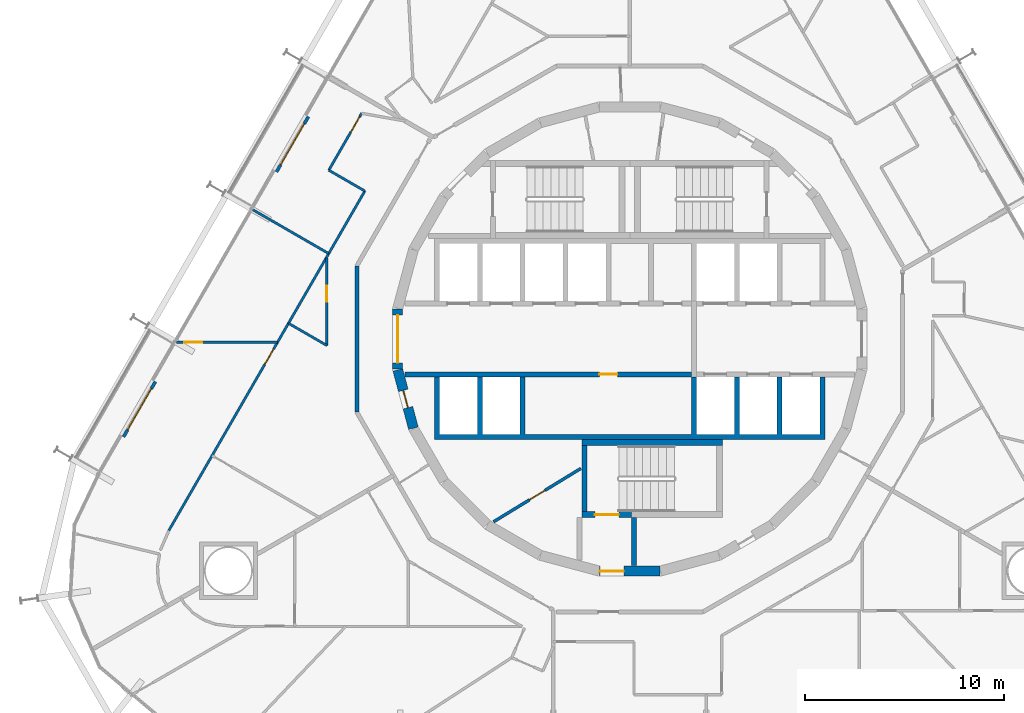
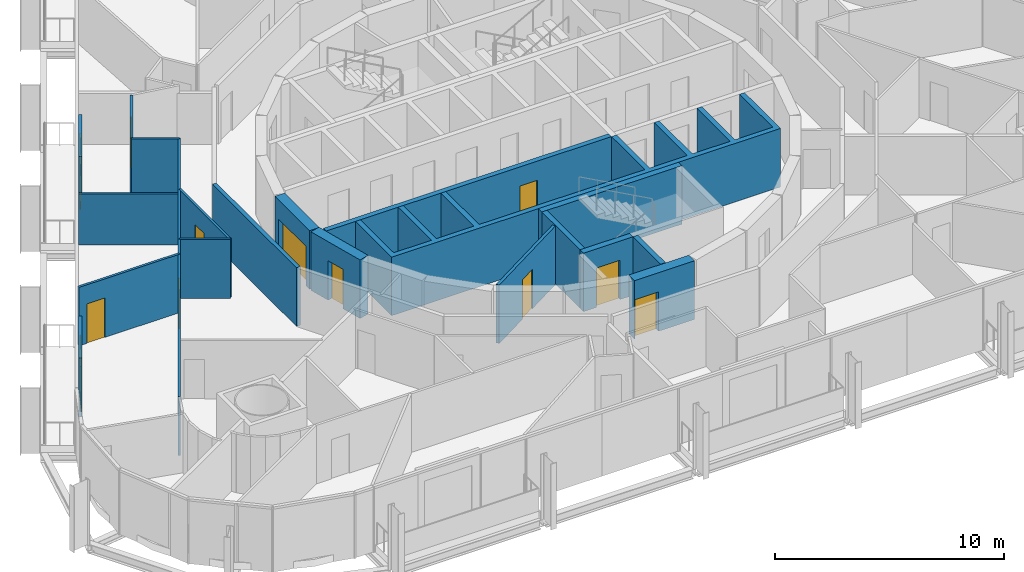
# One storey, part 14 of 21: 21 walls, 12 doors, 12 openings.
"""IFC4 building model written with IfcOpenShell, lengths in metres."""

from ifc_helpers import new_model, si_unit, direction, frame, frame_2d, origin, place, context, subcontext, project, spatial, polyline, rectangle, outline, extrude, material, layer, layer_set, type_object, element, fill, save


model = new_model("IFC4")

# Units and contexts
model_context = context("Model", 3, precision=1e-05, world=origin(), true_north=direction((0.0, 1.0)))
body_context = subcontext(model_context, "Body", "Model", "MODEL_VIEW")
ifc_project = project(units=[si_unit("LENGTHUNIT", "METRE"), si_unit("AREAUNIT", "SQUARE_METRE"), si_unit("VOLUMEUNIT", "CUBIC_METRE"), si_unit("PLANEANGLEUNIT", "RADIAN"), si_unit("MASSUNIT", "GRAM", prefix="KILO")], contexts=[model_context])

# Site, building, storey
site_placement = place(None, origin())
site = spatial("IfcSite", under=ifc_project, at=site_placement, CompositionType="ELEMENT")
building_placement = place(site_placement, origin())
building = spatial("IfcBuilding", under=site, at=building_placement, Name="Spindle Arch Residences", CompositionType="ELEMENT")
storey_placement = place(building_placement, frame((0.0, 0.0, 55.89990234375)))
storey = spatial("IfcBuildingStorey", under=building, at=storey_placement, Name="L12", CompositionType="ELEMENT", Elevation=55.89990234375)

# Wall, opening, door
ifc_material_1 = material(Name="Concrete C50/60", Category="concrete")
ifc_layer_1 = layer(ifc_material_1, 0.5)
ifc_layer_set_1 = layer_set([ifc_layer_1], Name="Core outline wall 500")
wall_type_1 = type_object("IfcWallType", Name="Core outline wall 500", PredefinedType="SHEAR", material=ifc_layer_set_1)
wall_1_placement = place(storey_placement, frame((-11.647216796875, 1.516357421875, 0.0), z_axis=(0.0, 0.0, 1.0), x_axis=(0.0, -1.0, 0.0)))
wall_1 = element("IfcWall", 1, at=wall_1_placement, inside=storey, type_object=wall_type_1, Name="Core outline wall 18", PredefinedType="SHEAR", context=body_context, shape_type="SweptSolid", body=[
    extrude(rectangle(XDim=3.03271484375, YDim=0.5, at=frame_2d((1.516357421875, 0.0))), origin(), (0.0, 0.0, 1.0), 3.1201171875),
])
opening_1_placement = place(wall_1_placement, frame((0.31640625, 0.0, 0.0)))
opening_1 = element("IfcOpeningElement", 2, at=opening_1_placement, cuts=wall_1, Name="Opening R1B1-LE01", PredefinedType="OPENING", context=body_context, shape_type="SweptSolid", body=[
    extrude(rectangle(XDim=2.39990234375, YDim=2.10009765625, at=frame_2d((1.199951171875, 1.050048828125))), frame((0.0, 0.260009765625, 0.0), z_axis=(0.0, -1.0, 0.0), x_axis=(1.0, 0.0, 0.0)), (0.0, 0.0, 1.0), 0.52001953125),
])
ifc_material_2 = material(Name="Steel, fire-resisting door", Category="steel")
door_type_1 = type_object("IfcDoorType", Name="Lift lobby entrance door 2400x2100", OperationType="DOUBLE_DOOR_SINGLE_SWING", PredefinedType="DOOR", material=ifc_material_2)
door_1_placement = place(opening_1_placement, origin())
door_1 = element("IfcDoor", 3, at=door_1_placement, inside=storey, type_object=door_type_1, Name="Lift lobby entrance door R1B1-LE01", OperationType="DOUBLE_DOOR_SINGLE_SWING", OverallHeight=2.10009765625, OverallWidth=2.39990234375, PredefinedType="DOOR", context=body_context, shape_type="SweptSolid", body=[
    extrude(rectangle(XDim=2.39990234375, YDim=2.10009765625, at=frame_2d((1.199951171875, 1.050048828125))), frame((0.0, 0.02490234375, 0.0), z_axis=(0.0, -1.0, 0.0), x_axis=(1.0, 0.0, 0.0)), (0.0, 0.0, 1.0), 0.050048828125),
])
fill(opening_1, door_1)

wall_2_placement = place(storey_placement, frame((-11.642822265625, -1.5498046875, 0.0), z_axis=(0.0, 0.0, 1.0), x_axis=(0.258734743916, -0.965948410781, 0.0)))
wall_2 = element("IfcWall", 4, at=wall_2_placement, inside=storey, type_object=wall_type_1, Name="Core outline wall 19", PredefinedType="SHEAR", context=body_context, shape_type="SweptSolid", body=[
    extrude(rectangle(XDim=3.03271484375, YDim=0.5, at=frame_2d((1.516357421875, 0.0))), origin(), (0.0, 0.0, 1.0), 3.1201171875),
])
opening_2_placement = place(wall_2_placement, frame((1.06640625, 0.0, 0.0)))
opening_2 = element("IfcOpeningElement", 5, at=opening_2_placement, cuts=wall_2, Name="Opening R1B1-WD09", PredefinedType="OPENING", context=body_context, shape_type="SweptSolid", body=[
    extrude(rectangle(XDim=0.89990234375, YDim=2.10009765625, at=frame_2d((0.449951171875, 1.050048828125))), frame((0.0, 0.260009765625, 0.0), z_axis=(0.0, -1.0, 0.0), x_axis=(1.0, 0.0, 0.0)), (0.0, 0.0, 1.0), 0.52001953125),
])
ifc_material_3 = material(Name="Steel, fire-resisting door", Category="steel")
door_type_2 = type_object("IfcDoorType", Name="Service room door 900x2100", OperationType="SINGLE_SWING_LEFT", PredefinedType="DOOR", material=ifc_material_3)
door_2_placement = place(opening_2_placement, origin())
door_2 = element("IfcDoor", 6, at=door_2_placement, inside=storey, type_object=door_type_2, Name="Service room door R1B1-WD09", OperationType="SINGLE_SWING_RIGHT", OverallHeight=2.10009765625, OverallWidth=0.89990234375, PredefinedType="DOOR", context=body_context, shape_type="SweptSolid", body=[
    extrude(rectangle(XDim=0.89990234375, YDim=2.10009765625, at=frame_2d((0.449951171875, 1.050048828125))), frame((0.0, 0.02490234375, 0.0), z_axis=(0.0, -1.0, 0.0), x_axis=(1.0, 0.0, 0.0)), (0.0, 0.0, 1.0), 0.050048828125),
])
fill(opening_2, door_2)

wall_3_placement = place(storey_placement, frame((-1.516357421875, -11.647216796875, 0.0), z_axis=(0.0, 0.0, 1.0), x_axis=(1.0, 0.0, 0.0)))
wall_3 = element("IfcWall", 7, at=wall_3_placement, inside=storey, type_object=wall_type_1, Name="Core outline wall 24", PredefinedType="SHEAR", context=body_context, shape_type="SweptSolid", body=[
    extrude(rectangle(XDim=3.03271484375, YDim=0.5, at=frame_2d((1.516357421875, 0.0))), origin(), (0.0, 0.0, 1.0), 3.1201171875),
])
opening_3_placement = place(wall_3_placement, frame((0.016357421875, 0.0, 0.0)))
opening_3 = element("IfcOpeningElement", 8, at=opening_3_placement, cuts=wall_3, Name="Opening R1B1-AD03", PredefinedType="OPENING", context=body_context, shape_type="SweptSolid", body=[
    extrude(rectangle(XDim=1.199951171875, YDim=2.10009765625, at=frame_2d((0.60009765625, 1.050048828125))), frame((0.0, 0.260009765625, 0.0), z_axis=(0.0, -1.0, 0.0), x_axis=(1.0, 0.0, 0.0)), (0.0, 0.0, 1.0), 0.52001953125),
])
ifc_material_4 = material(Name="Steel, fire-resisting door", Category="steel")
door_type_3 = type_object("IfcDoorType", Name="Stair airlock door 1200x2100", OperationType="SINGLE_SWING_LEFT", PredefinedType="DOOR", material=ifc_material_4)
door_3_placement = place(opening_3_placement, origin())
door_3 = element("IfcDoor", 9, at=door_3_placement, inside=storey, type_object=door_type_3, Name="Stair airlock door R1B1-AD03", OperationType="SINGLE_SWING_RIGHT", OverallHeight=2.10009765625, OverallWidth=1.199951171875, PredefinedType="DOOR", context=body_context, shape_type="SweptSolid", body=[
    extrude(rectangle(XDim=1.199951171875, YDim=2.10009765625, at=frame_2d((0.60009765625, 1.050048828125))), frame((0.0, 0.02490234375, 0.0), z_axis=(0.0, -1.0, 0.0), x_axis=(1.0, 0.0, 0.0)), (0.0, 0.0, 1.0), 0.050048828125),
])
fill(opening_3, door_3)

# Wall
ifc_material_5 = material(Name="Calcium silicate block, plastered")
ifc_layer_2 = layer(ifc_material_5, 0.199951171875)
ifc_layer_set_2 = layer_set([ifc_layer_2], Name="Corridor wall 200")
wall_type_2 = type_object("IfcWallType", Name="Corridor wall 200", PredefinedType="STANDARD", material=ifc_layer_set_2)
wall_4_placement = place(storey_placement, frame((-13.699951171875, 3.6708984375, 0.0), z_axis=(0.0, 0.0, 1.0), x_axis=(0.0, -1.0, 0.0)))
element("IfcWall", 10, at=wall_4_placement, inside=storey, type_object=wall_type_2, Name="Corridor wall R1B1-W011", PredefinedType="STANDARD", context=body_context, shape_type="SweptSolid", body=[
    extrude(rectangle(XDim=7.341796875, YDim=0.199951171875, at=frame_2d((3.6708984375, 0.0))), origin(), (0.0, 0.0, 1.0), 3.1201171875),
])

# Wall, opening, door
ifc_material_6 = material(Name="Plasterboard on steel studs", Category="steel")
ifc_layer_3 = layer(ifc_material_6, 0.1201171875)
ifc_layer_set_3 = layer_set([ifc_layer_3], Name="Flat partition 120")
wall_type_3 = type_object("IfcWallType", Name="Flat partition 120", PredefinedType="PARTITIONING", material=ifc_layer_set_3)
wall_5_placement = place(storey_placement, frame((-13.45654296875, 11.33154296875, 0.0), z_axis=(0.0, 0.0, 1.0), x_axis=(-0.499974350878, -0.866040211805, 0.0)))
wall_5 = element("IfcWall", 11, at=wall_5_placement, inside=storey, type_object=wall_type_3, Name="Flat partition R1B1-W063", PredefinedType="PARTITIONING", context=body_context, shape_type="SweptSolid", body=[
    extrude(rectangle(XDim=3.300048828125, YDim=0.1201171875, at=frame_2d((1.64990234375, 0.0))), origin(), (0.0, 0.0, 1.0), 3.1201171875),
])
opening_4_placement = place(wall_5_placement, frame((0.199951171875, 0.0, 0.0)))
opening_4 = element("IfcOpeningElement", 12, at=opening_4_placement, cuts=wall_5, Name="Opening R1B1-ID13", PredefinedType="OPENING", context=body_context, shape_type="SweptSolid", body=[
    extrude(rectangle(XDim=0.89990234375, YDim=2.10009765625, at=frame_2d((0.449951171875, 1.050048828125))), frame((0.0, 0.070068359375, 0.0), z_axis=(0.0, -1.0, 0.0), x_axis=(1.0, 0.0, 0.0)), (0.0, 0.0, 1.0), 0.14013671875),
])
ifc_material_7 = material(Name="Timber door set", Category="wood")
door_type_4 = type_object("IfcDoorType", Name="Room door 900x2100", OperationType="NOTDEFINED", PredefinedType="DOOR", material=ifc_material_7)
door_4_placement = place(opening_4_placement, origin())
door_4 = element("IfcDoor", 13, at=door_4_placement, inside=storey, type_object=door_type_4, Name="Room door R1B1-ID13", OperationType="SINGLE_SWING_LEFT", OverallHeight=2.10009765625, OverallWidth=0.89990234375, PredefinedType="DOOR", context=body_context, shape_type="SweptSolid", body=[
    extrude(rectangle(XDim=0.89990234375, YDim=2.10009765625, at=frame_2d((0.449951171875, 1.050048828125))), frame((0.0, 0.02490234375, 0.0), z_axis=(0.0, -1.0, 0.0), x_axis=(1.0, 0.0, 0.0)), (0.0, 0.0, 1.0), 0.050048828125),
])
fill(opening_4, door_4)

# Walls
wall_6_placement = place(storey_placement, frame((-15.1064453125, 8.4736328125, 0.0), z_axis=(0.0, 0.0, 1.0), x_axis=(0.866041603473, -0.499971940267, 0.0)))
element("IfcWall", 14, at=wall_6_placement, inside=storey, type_object=wall_type_3, Name="Flat partition R1B1-W064", PredefinedType="PARTITIONING", context=body_context, shape_type="SweptSolid", body=[
    extrude(rectangle(XDim=2.08935546875, YDim=0.1201171875, at=frame_2d((1.044677734375, 0.0))), origin(), (0.0, 0.0, 1.0), 3.1201171875),
])
wall_7_placement = place(storey_placement, frame((-13.296875, 7.428955078125, 0.0), z_axis=(0.0, 0.0, 1.0), x_axis=(-0.49999903102, -0.866025963225, 0.0)))
element("IfcWall", 15, at=wall_7_placement, inside=storey, type_object=wall_type_3, Name="Flat partition R1B1-W065", PredefinedType="PARTITIONING", context=body_context, shape_type="SweptSolid", body=[
    extrude(rectangle(XDim=7.66650390625, YDim=0.1201171875, at=frame_2d((3.833251953125, 0.0))), origin(), (0.0, 0.0, 1.0), 3.1201171875),
])

# Wall, opening, door
wall_8_placement = place(storey_placement, frame((-17.130126953125, 0.78955078125, 0.0), z_axis=(0.0, 0.0, 1.0), x_axis=(-0.499997052475, -0.866027105532, 0.0)))
wall_8 = element("IfcWall", 16, at=wall_8_placement, inside=storey, type_object=wall_type_3, Name="Flat partition R1B1-W066", PredefinedType="PARTITIONING", context=body_context, shape_type="SweptSolid", body=[
    extrude(rectangle(XDim=12.005859375, YDim=0.1201171875, at=frame_2d((6.0029296875, 0.0))), origin(), (0.0, 0.0, 1.0), 3.1201171875),
])
opening_5_placement = place(wall_8_placement, frame((1.498291015625, 0.0, 0.0)))
opening_5 = element("IfcOpeningElement", 17, at=opening_5_placement, cuts=wall_8, Name="Opening R1B1-ID14", PredefinedType="OPENING", context=body_context, shape_type="SweptSolid", body=[
    extrude(rectangle(XDim=0.89990234375, YDim=2.10009765625, at=frame_2d((0.449951171875, 1.050048828125))), frame((0.0, 0.070068359375, 0.0), z_axis=(0.0, -1.0, 0.0), x_axis=(1.0, 0.0, 0.0)), (0.0, 0.0, 1.0), 0.14013671875),
])
door_5_placement = place(opening_5_placement, origin())
door_5 = element("IfcDoor", 18, at=door_5_placement, inside=storey, type_object=door_type_4, Name="Room door R1B1-ID14", OperationType="SINGLE_SWING_RIGHT", OverallHeight=2.10009765625, OverallWidth=0.89990234375, PredefinedType="DOOR", context=body_context, shape_type="SweptSolid", body=[
    extrude(rectangle(XDim=0.89990234375, YDim=2.10009765625, at=frame_2d((0.449951171875, 1.050048828125))), frame((0.0, 0.02490234375, 0.0), z_axis=(0.0, -1.0, 0.0), x_axis=(1.0, 0.0, 0.0)), (0.0, 0.0, 1.0), 0.050048828125),
])
fill(opening_5, door_5)

wall_9_placement = place(storey_placement, frame((-15.199951171875, 4.07275390625, 0.0), z_axis=(0.0, 0.0, 1.0), x_axis=(0.0, -1.0, 0.0)))
wall_9 = element("IfcWall", 19, at=wall_9_placement, inside=storey, type_object=wall_type_3, Name="Flat partition R1B1-W067", PredefinedType="PARTITIONING", context=body_context, shape_type="SweptSolid", body=[
    extrude(rectangle(XDim=4.397705078125, YDim=0.1201171875, at=frame_2d((2.19873046875, 0.0))), origin(), (0.0, 0.0, 1.0), 3.1201171875),
])
opening_6_placement = place(wall_9_placement, frame((1.39990234375, 0.0, 0.0)))
opening_6 = element("IfcOpeningElement", 20, at=opening_6_placement, cuts=wall_9, Name="Opening R1B1-BD03", PredefinedType="OPENING", context=body_context, shape_type="SweptSolid", body=[
    extrude(rectangle(XDim=0.800048828125, YDim=2.10009765625, at=frame_2d((0.39990234375, 1.050048828125))), frame((0.0, 0.070068359375, 0.0), z_axis=(0.0, -1.0, 0.0), x_axis=(1.0, 0.0, 0.0)), (0.0, 0.0, 1.0), 0.14013671875),
])
ifc_material_8 = material(Name="Timber door set", Category="wood")
door_type_5 = type_object("IfcDoorType", Name="Bathroom door 800x2100", OperationType="NOTDEFINED", PredefinedType="DOOR", material=ifc_material_8)
door_6_placement = place(opening_6_placement, origin())
door_6 = element("IfcDoor", 21, at=door_6_placement, inside=storey, type_object=door_type_5, Name="Bathroom door R1B1-BD03", OperationType="SINGLE_SWING_RIGHT", OverallHeight=2.10009765625, OverallWidth=0.800048828125, PredefinedType="DOOR", context=body_context, shape_type="SweptSolid", body=[
    extrude(rectangle(XDim=0.800048828125, YDim=2.10009765625, at=frame_2d((0.39990234375, 1.050048828125))), frame((0.0, 0.02490234375, 0.0), z_axis=(0.0, -1.0, 0.0), x_axis=(1.0, 0.0, 0.0)), (0.0, 0.0, 1.0), 0.050048828125),
])
fill(opening_6, door_6)

# Wall
wall_10_placement = place(storey_placement, frame((-15.199951171875, -0.324951171875, 0.0), z_axis=(0.0, 0.0, 1.0), x_axis=(-0.866003168561, 0.500038510559, 0.0)))
element("IfcWall", 22, at=wall_10_placement, inside=storey, type_object=wall_type_3, Name="Flat partition R1B1-W068", PredefinedType="PARTITIONING", context=body_context, shape_type="SweptSolid", body=[
    extrude(rectangle(XDim=2.228759765625, YDim=0.1201171875, at=frame_2d((1.1142578125, 0.0))), origin(), (0.0, 0.0, 1.0), 3.1201171875),
])

# Wall, opening, door
wall_11_placement = place(storey_placement, frame((-22.760009765625, -0.161865234375, 0.0), z_axis=(0.0, 0.0, 1.0), x_axis=(1.0, 0.0, 0.0)))
wall_11 = element("IfcWall", 23, at=wall_11_placement, inside=storey, type_object=wall_type_3, Name="Flat partition R1B1-W071", PredefinedType="PARTITIONING", context=body_context, shape_type="SweptSolid", body=[
    extrude(rectangle(XDim=5.08056640625, YDim=0.1201171875, at=frame_2d((2.540283203125, 0.0))), origin(), (0.0, 0.0, 1.0), 3.1201171875),
])
opening_7_placement = place(wall_11_placement, frame((0.39990234375, 0.0, 0.0)))
opening_7 = element("IfcOpeningElement", 24, at=opening_7_placement, cuts=wall_11, Name="Opening R1B1-ID16", PredefinedType="OPENING", context=body_context, shape_type="SweptSolid", body=[
    extrude(rectangle(XDim=0.89990234375, YDim=2.10009765625, at=frame_2d((0.449951171875, 1.050048828125))), frame((0.0, 0.070068359375, 0.0), z_axis=(0.0, -1.0, 0.0), x_axis=(1.0, 0.0, 0.0)), (0.0, 0.0, 1.0), 0.14013671875),
])
door_7_placement = place(opening_7_placement, origin())
door_7 = element("IfcDoor", 25, at=door_7_placement, inside=storey, type_object=door_type_4, Name="Room door R1B1-ID16", OperationType="SINGLE_SWING_LEFT", OverallHeight=2.10009765625, OverallWidth=0.89990234375, PredefinedType="DOOR", context=body_context, shape_type="SweptSolid", body=[
    extrude(rectangle(XDim=0.89990234375, YDim=2.10009765625, at=frame_2d((0.449951171875, 1.050048828125))), frame((0.0, 0.02490234375, 0.0), z_axis=(0.0, -1.0, 0.0), x_axis=(1.0, 0.0, 0.0)), (0.0, 0.0, 1.0), 0.050048828125),
])
fill(opening_7, door_7)

# Wall
ifc_material_9 = material(Name="Plasterboard on steel studs", Category="steel")
ifc_layer_4 = layer(ifc_material_9, 0.1201171875)
ifc_layer_set_4 = layer_set([ifc_layer_4], Name="Flat partition 120 under beam 2730")
wall_type_4 = type_object("IfcWallType", Name="Flat partition 120 under beam 2730", PredefinedType="PARTITIONING", material=ifc_layer_set_4)
wall_12_placement = place(storey_placement, frame((-18.919921875, 6.489501953125, 0.0), z_axis=(0.0, 0.0, 1.0), x_axis=(0.865994303029, -0.500053864221, 0.0)))
element("IfcWall", 26, at=wall_12_placement, inside=storey, type_object=wall_type_4, Name="Flat partition R1B1-W070", PredefinedType="PARTITIONING", context=body_context, shape_type="SweptSolid", body=[
    extrude(rectangle(XDim=4.39990234375, YDim=0.1201171875, at=frame_2d((2.199951171875, 0.0))), origin(), (0.0, 0.0, 1.0), 2.72998046875),
])

# Wall, opening, door
ifc_material_10 = material(Name="Non-combustible mineral wool insulated aluminium faced external wall (K0)", Category="aluminium")
ifc_layer_5 = layer(ifc_material_10, 0.159912109375)
ifc_layer_set_5 = layer_set([ifc_layer_5], Name="Insulated external wall panel 160")
wall_type_5 = type_object("IfcWallType", Name="Insulated external wall panel 160", PredefinedType="STANDARD", material=ifc_layer_set_5)
wall_13_placement = place(storey_placement, frame((-16.130615234375, 11.16064453125, 0.0), z_axis=(0.0, 0.0, 1.0), x_axis=(-0.500028443584, -0.866008981251, 0.0)))
wall_13 = element("IfcWall", 27, at=wall_13_placement, inside=storey, type_object=wall_type_5, Name="External wall L12 bay 16", PredefinedType="STANDARD", context=body_context, shape_type="SweptSolid", body=[
    extrude(rectangle(XDim=3.199951171875, YDim=0.159912109375, at=frame_2d((1.60009765625, 0.0))), origin(), (0.0, 0.0, 1.0), 3.1201171875),
])
opening_8_placement = place(wall_13_placement, frame((0.39990234375, 0.0, 0.0)))
opening_8 = element("IfcOpeningElement", 28, at=opening_8_placement, cuts=wall_13, Name="Opening BD16", PredefinedType="OPENING", context=body_context, shape_type="SweptSolid", body=[
    extrude(rectangle(XDim=2.39990234375, YDim=2.39990234375, at=frame_2d((1.199951171875, 1.199951171875))), frame((0.0, 0.08984375, 0.0), z_axis=(0.0, -1.0, 0.0), x_axis=(1.0, 0.0, 0.0)), (0.0, 0.0, 1.0), 0.179931640625),
])
ifc_material_11 = material(Name="Bronze aluminium frame, tinted double glazing", Category="aluminium")
door_type_6 = type_object("IfcDoorType", Name="Sliding glazed balcony door 2400x2400", OperationType="DOUBLE_DOOR_SLIDING", PredefinedType="DOOR", material=ifc_material_11)
door_8_placement = place(opening_8_placement, origin())
door_8 = element("IfcDoor", 29, at=door_8_placement, inside=storey, type_object=door_type_6, Name="Balcony door BD16", OperationType="DOUBLE_DOOR_SLIDING", OverallHeight=2.39990234375, OverallWidth=2.39990234375, PredefinedType="DOOR", context=body_context, shape_type="SweptSolid", body=[
    extrude(rectangle(XDim=2.39990234375, YDim=2.39990234375, at=frame_2d((1.199951171875, 1.199951171875))), frame((0.0, 0.02490234375, 0.0), z_axis=(0.0, -1.0, 0.0), x_axis=(1.0, 0.0, 0.0)), (0.0, 0.0, 1.0), 0.050048828125),
])
fill(opening_8, door_8)

wall_14_placement = place(storey_placement, frame((-23.810791015625, -2.1416015625, 0.0), z_axis=(0.0, 0.0, 1.0), x_axis=(-0.500028443584, -0.866008981251, 0.0)))
wall_14 = element("IfcWall", 30, at=wall_14_placement, inside=storey, type_object=wall_type_5, Name="External wall L12 bay 18", PredefinedType="STANDARD", context=body_context, shape_type="SweptSolid", body=[
    extrude(rectangle(XDim=3.199951171875, YDim=0.159912109375, at=frame_2d((1.60009765625, 0.0))), origin(), (0.0, 0.0, 1.0), 3.1201171875),
])
opening_9_placement = place(wall_14_placement, frame((0.39990234375, 0.0, 0.0)))
opening_9 = element("IfcOpeningElement", 31, at=opening_9_placement, cuts=wall_14, Name="Opening BD18", PredefinedType="OPENING", context=body_context, shape_type="SweptSolid", body=[
    extrude(rectangle(XDim=2.39990234375, YDim=2.39990234375, at=frame_2d((1.199951171875, 1.199951171875))), frame((0.0, 0.08984375, 0.0), z_axis=(0.0, -1.0, 0.0), x_axis=(1.0, 0.0, 0.0)), (0.0, 0.0, 1.0), 0.179931640625),
])
door_9_placement = place(opening_9_placement, origin())
door_9 = element("IfcDoor", 32, at=door_9_placement, inside=storey, type_object=door_type_6, Name="Balcony door BD18", OperationType="DOUBLE_DOOR_SLIDING", OverallHeight=2.39990234375, OverallWidth=2.39990234375, PredefinedType="DOOR", context=body_context, shape_type="SweptSolid", body=[
    extrude(rectangle(XDim=2.39990234375, YDim=2.39990234375, at=frame_2d((1.199951171875, 1.199951171875))), frame((0.0, 0.02490234375, 0.0), z_axis=(0.0, -1.0, 0.0), x_axis=(1.0, 0.0, 0.0)), (0.0, 0.0, 1.0), 0.050048828125),
])
fill(opening_9, door_9)

ifc_material_12 = material(Name="Concrete C50/60", Category="concrete")
ifc_layer_6 = layer(ifc_material_12, 0.25)
ifc_layer_set_6 = layer_set([ifc_layer_6], Name="Lift shaft wall 250")
wall_type_6 = type_object("IfcWallType", Name="Lift shaft wall 250", PredefinedType="SHEAR", material=ifc_layer_set_6)
wall_15_placement = place(storey_placement, frame((-11.280029296875, -1.77490234375, 0.0), z_axis=(0.0, 0.0, 1.0), x_axis=(1.0, 0.0, 0.0)))
wall_15 = element("IfcWall", 33, at=wall_15_placement, inside=storey, type_object=wall_type_6, Name="Lift shaft front wall SW", PredefinedType="SHEAR", context=body_context, shape_type="SweptSolid", body=[
    extrude(rectangle(XDim=14.380126953125, YDim=0.25, at=frame_2d((7.18994140625, 0.0))), origin(), (0.0, 0.0, 1.0), 3.1201171875),
])
opening_10_placement = place(wall_15_placement, frame((9.7548828125, 0.0, 0.0)))
opening_10 = element("IfcOpeningElement", 34, at=opening_10_placement, cuts=wall_15, Name="Opening R1B1-WD04", PredefinedType="OPENING", context=body_context, shape_type="SweptSolid", body=[
    extrude(rectangle(XDim=0.89990234375, YDim=2.10009765625, at=frame_2d((0.449951171875, 1.050048828125))), frame((0.0, 0.135009765625, 0.0), z_axis=(0.0, -1.0, 0.0), x_axis=(1.0, 0.0, 0.0)), (0.0, 0.0, 1.0), 0.27001953125),
])
door_10_placement = place(opening_10_placement, origin())
door_10 = element("IfcDoor", 35, at=door_10_placement, inside=storey, type_object=door_type_2, Name="Service room door R1B1-WD04", OperationType="SINGLE_SWING_LEFT", OverallHeight=2.10009765625, OverallWidth=0.89990234375, PredefinedType="DOOR", context=body_context, shape_type="SweptSolid", body=[
    extrude(rectangle(XDim=0.89990234375, YDim=2.10009765625, at=frame_2d((0.449951171875, 1.050048828125))), frame((0.0, 0.02490234375, 0.0), z_axis=(0.0, -1.0, 0.0), x_axis=(1.0, 0.0, 0.0)), (0.0, 0.0, 1.0), 0.050048828125),
])
fill(opening_10, door_10)

# Wall
ifc_material_13 = material(Name="Concrete C50/60", Category="concrete")
wall_type_7 = type_object("IfcWallType", Name="Lift shaft wall profile", PredefinedType="SHEAR", material=ifc_material_13)
wall_16_placement = place(storey_placement, origin())
element("IfcWall", 36, at=wall_16_placement, inside=storey, type_object=wall_type_7, Name="Lift shaft walls S", PredefinedType="SHEAR", context=body_context, shape_type="SweptSolid", body=[
    extrude(outline(polyline([(9.800048828125, -5.050048828125), (9.800048828125, -4.800048828125), (9.800048828125, -1.89990234375), (9.550048828125, -1.89990234375), (9.550048828125, -4.800048828125), (7.64990234375, -4.800048828125), (7.64990234375, -1.89990234375), (7.39990234375, -1.89990234375), (7.39990234375, -4.800048828125), (5.5, -4.800048828125), (5.5, -1.89990234375), (5.25, -1.89990234375), (5.25, -4.800048828125), (3.35009765625, -4.800048828125), (3.35009765625, -1.89990234375), (3.10009765625, -1.89990234375), (3.10009765625, -4.800048828125), (-5.25, -4.800048828125), (-5.25, -1.89990234375), (-5.5, -1.89990234375), (-5.5, -4.800048828125), (-7.39990234375, -4.800048828125), (-7.39990234375, -1.89990234375), (-7.64990234375, -1.89990234375), (-7.64990234375, -4.800048828125), (-9.550048828125, -4.800048828125), (-9.550048828125, -1.89990234375), (-9.800048828125, -1.89990234375), (-9.800048828125, -4.800048828125), (-9.800048828125, -5.050048828125), (9.800048828125, -5.050048828125)])), origin(), (0.0, 0.0, 1.0), 3.1201171875),
])

# Wall, opening, door
ifc_material_14 = material(Name="Concrete C25/30", Category="concrete")
ifc_layer_7 = layer(ifc_material_14, 0.14990234375)
ifc_layer_set_7 = layer_set([ifc_layer_7], Name="Service room partition 150")
wall_type_8 = type_object("IfcWallType", Name="Service room partition 150", PredefinedType="PARTITIONING", material=ifc_layer_set_7)
wall_17_placement = place(storey_placement, frame((-2.451171875, -6.49462890625, 0.0), z_axis=(0.0, 0.0, 1.0), x_axis=(-0.853250115418, -0.521501908471, 0.0)))
wall_17 = element("IfcWall", 37, at=wall_17_placement, inside=storey, type_object=wall_type_8, Name="Core service room partition", PredefinedType="PARTITIONING", context=body_context, shape_type="SweptSolid", body=[
    extrude(rectangle(XDim=5.137451171875, YDim=0.14990234375, at=frame_2d((2.56884765625, 0.0))), origin(), (0.0, 0.0, 1.0), 3.1201171875),
])
opening_11_placement = place(wall_17_placement, frame((2.11865234375, 0.0, 0.0)))
opening_11 = element("IfcOpeningElement", 38, at=opening_11_placement, cuts=wall_17, Name="Opening R1B1-WD05", PredefinedType="OPENING", context=body_context, shape_type="SweptSolid", body=[
    extrude(rectangle(XDim=0.89990234375, YDim=2.10009765625, at=frame_2d((0.449951171875, 1.050048828125))), frame((0.0, 0.0849609375, 0.0), z_axis=(0.0, -1.0, 0.0), x_axis=(1.0, 0.0, 0.0)), (0.0, 0.0, 1.0), 0.169921875),
])
door_11_placement = place(opening_11_placement, origin())
door_11 = element("IfcDoor", 39, at=door_11_placement, inside=storey, type_object=door_type_2, Name="Service room door R1B1-WD05", OperationType="SINGLE_SWING_RIGHT", OverallHeight=2.10009765625, OverallWidth=0.89990234375, PredefinedType="DOOR", context=body_context, shape_type="SweptSolid", body=[
    extrude(rectangle(XDim=0.89990234375, YDim=2.10009765625, at=frame_2d((0.449951171875, 1.050048828125))), frame((0.0, 0.02490234375, 0.0), z_axis=(0.0, -1.0, 0.0), x_axis=(1.0, 0.0, 0.0)), (0.0, 0.0, 1.0), 0.050048828125),
])
fill(opening_11, door_11)

# Walls
ifc_material_15 = material(Name="Concrete C40/50", Category="concrete")
ifc_layer_8 = layer(ifc_material_15, 0.25)
ifc_layer_set_8 = layer_set([ifc_layer_8], Name="Stair airlock wall 250")
wall_type_9 = type_object("IfcWallType", Name="Stair airlock wall 250", PredefinedType="SHEAR", material=ifc_layer_set_8)
wall_18_placement = place(storey_placement, frame((0.22509765625, -8.969970703125, 0.0), z_axis=(0.0, 0.0, 1.0), x_axis=(0.0, -1.0, 0.0)))
element("IfcWall", 40, at=wall_18_placement, inside=storey, type_object=wall_type_9, Name="Stair ST-3 airlock wall E", PredefinedType="SHEAR", context=body_context, shape_type="SweptSolid", body=[
    extrude(rectangle(XDim=2.409912109375, YDim=0.25, at=frame_2d((1.205078125, 0.0))), origin(), (0.0, 0.0, 1.0), 3.1201171875),
])
ifc_material_16 = material(Name="Concrete C50/60", Category="concrete")
ifc_layer_9 = layer(ifc_material_16, 0.25)
ifc_layer_set_9 = layer_set([ifc_layer_9], Name="Stair enclosure wall 250")
wall_type_10 = type_object("IfcWallType", Name="Stair enclosure wall 250", PredefinedType="SHEAR", material=ifc_layer_set_9)
wall_19_placement = place(storey_placement, frame((-2.27490234375, -8.669921875, 0.0), z_axis=(0.0, 0.0, 1.0), x_axis=(0.0, 1.0, 0.0)))
element("IfcWall", 41, at=wall_19_placement, inside=storey, type_object=wall_type_10, Name="Stair ST-3 enclosure wall W", PredefinedType="SHEAR", context=body_context, shape_type="SweptSolid", body=[
    extrude(rectangle(XDim=3.31982421875, YDim=0.25, at=frame_2d((1.659912109375, 0.0))), origin(), (0.0, 0.0, 1.0), 3.1201171875),
])
ifc_material_17 = material(Name="Concrete C50/60", Category="concrete")
ifc_layer_10 = layer(ifc_material_17, 0.300048828125)
ifc_layer_set_10 = layer_set([ifc_layer_10], Name="Stair enclosure wall 300")
wall_type_11 = type_object("IfcWallType", Name="Stair enclosure wall 300", PredefinedType="SHEAR", material=ifc_layer_set_10)
wall_20_placement = place(storey_placement, frame((-2.39990234375, -5.199951171875, 0.0), z_axis=(0.0, 0.0, 1.0), x_axis=(1.0, 0.0, 0.0)))
element("IfcWall", 42, at=wall_20_placement, inside=storey, type_object=wall_type_11, Name="Stair ST-3 enclosure wall N", PredefinedType="SHEAR", context=body_context, shape_type="SweptSolid", body=[
    extrude(rectangle(XDim=7.0498046875, YDim=0.300048828125, at=frame_2d((3.52490234375, 0.0))), origin(), (0.0, 0.0, 1.0), 3.1201171875),
])

# Wall, opening, door
wall_21_placement = place(storey_placement, frame((-2.39990234375, -8.820068359375, 0.0), z_axis=(0.0, 0.0, 1.0), x_axis=(1.0, 0.0, 0.0)))
wall_21 = element("IfcWall", 43, at=wall_21_placement, inside=storey, type_object=wall_type_11, Name="Stair ST-3 door wall", PredefinedType="SHEAR", context=body_context, shape_type="SweptSolid", body=[
    extrude(rectangle(XDim=2.5, YDim=0.300048828125, at=frame_2d((1.25, 0.0))), origin(), (0.0, 0.0, 1.0), 3.1201171875),
])
opening_12_placement = place(wall_21_placement, frame((0.64990234375, 0.0, 0.0)))
opening_12 = element("IfcOpeningElement", 44, at=opening_12_placement, cuts=wall_21, Name="Opening R1B1-SD03", PredefinedType="OPENING", context=body_context, shape_type="SweptSolid", body=[
    extrude(rectangle(XDim=1.199951171875, YDim=2.10009765625, at=frame_2d((0.60009765625, 1.050048828125))), frame((0.0, 0.16015625, 0.0), z_axis=(0.0, -1.0, 0.0), x_axis=(1.0, 0.0, 0.0)), (0.0, 0.0, 1.0), 0.320068359375),
])
ifc_material_18 = material(Name="Steel, fire-resisting door", Category="steel")
door_type_7 = type_object("IfcDoorType", Name="Stair door 1200x2100", OperationType="SINGLE_SWING_RIGHT", PredefinedType="DOOR", material=ifc_material_18)
door_12_placement = place(opening_12_placement, origin())
door_12 = element("IfcDoor", 45, at=door_12_placement, inside=storey, type_object=door_type_7, Name="Stair door R1B1-SD03", OperationType="SINGLE_SWING_LEFT", OverallHeight=2.10009765625, OverallWidth=1.199951171875, PredefinedType="DOOR", context=body_context, shape_type="SweptSolid", body=[
    extrude(rectangle(XDim=1.199951171875, YDim=2.10009765625, at=frame_2d((0.60009765625, 1.050048828125))), frame((0.0, 0.02490234375, 0.0), z_axis=(0.0, -1.0, 0.0), x_axis=(1.0, 0.0, 0.0)), (0.0, 0.0, 1.0), 0.050048828125),
])
fill(opening_12, door_12)

save(model, "model.ifc")
